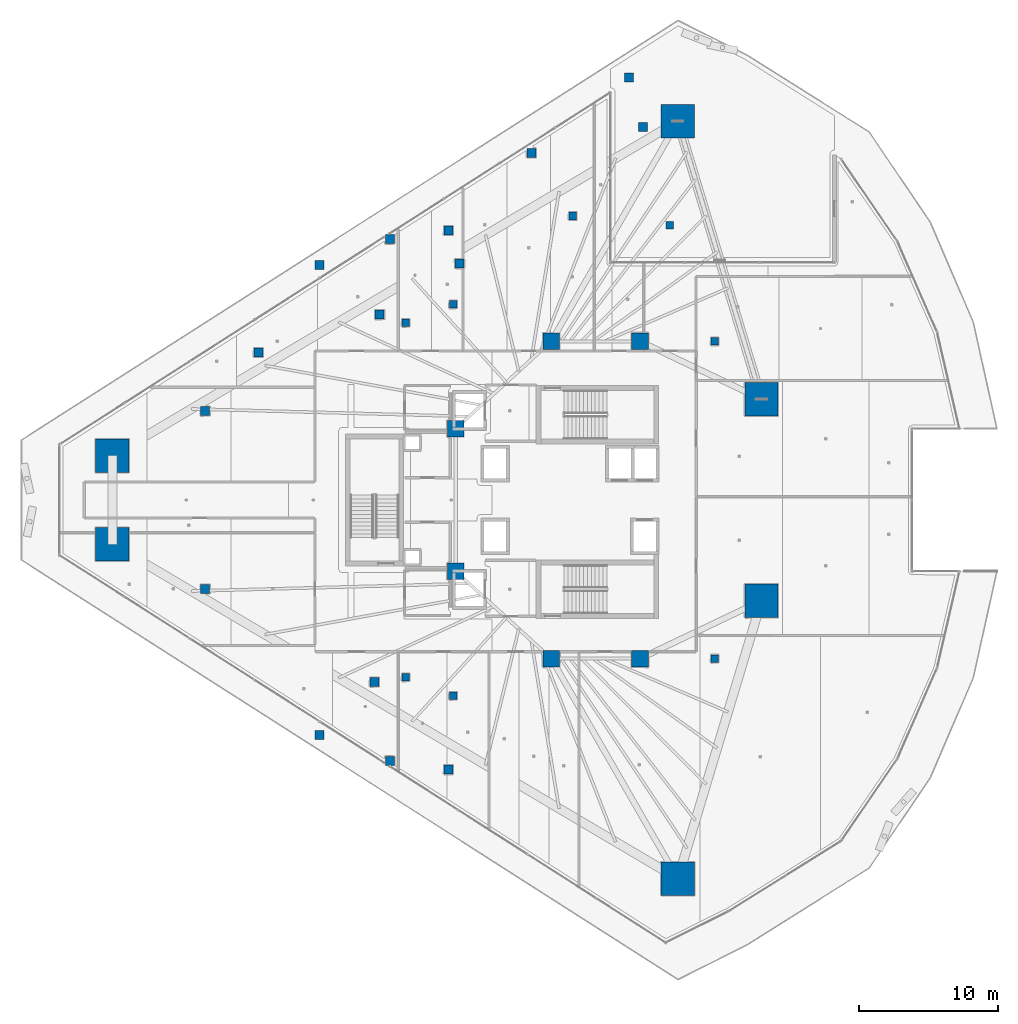
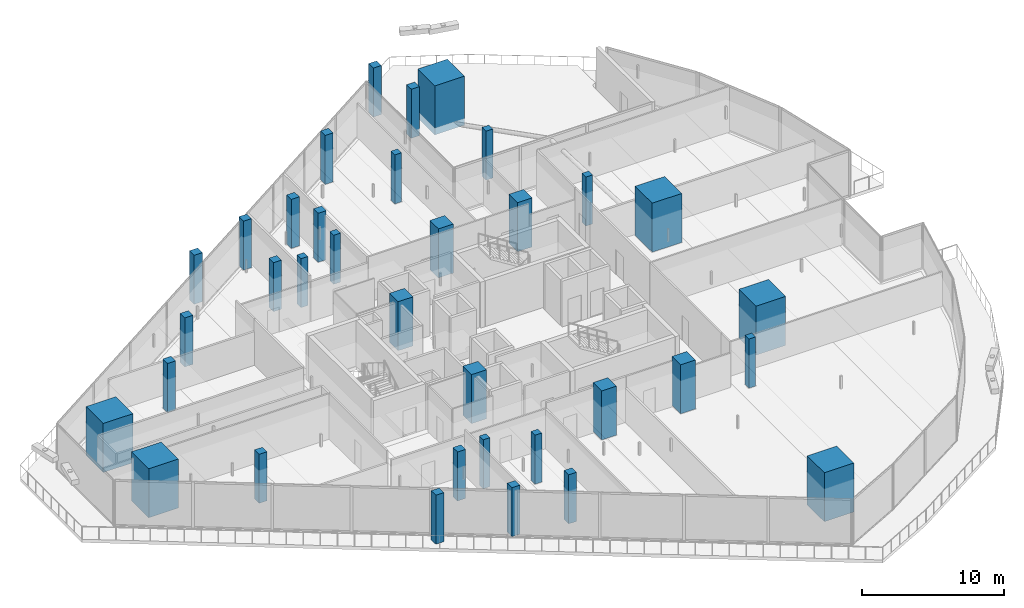
# One storey, part 1 of 47: 35 columns.
"""IFC4 building model written with IfcOpenShell, lengths in metres."""

from ifc_helpers import new_model, si_unit, direction, frame, origin, origin_2d, place, context, subcontext, project, spatial, rectangle, extrude, material, material_profile, profile_set, type_object, element, save


model = new_model("IFC4")

# Units and contexts
model_context = context("Model", 3, precision=1e-05, world=origin(), true_north=direction((0.0, 1.0)))
body_context = subcontext(model_context, "Body", "Model", "MODEL_VIEW")
ifc_project = project(units=[si_unit("LENGTHUNIT", "METRE"), si_unit("AREAUNIT", "SQUARE_METRE"), si_unit("VOLUMEUNIT", "CUBIC_METRE"), si_unit("PLANEANGLEUNIT", "RADIAN"), si_unit("MASSUNIT", "GRAM", prefix="KILO")], contexts=[model_context])

# Site, building, storey
site_placement = place(None, origin())
site = spatial("IfcSite", under=ifc_project, at=site_placement, CompositionType="ELEMENT")
building_placement = place(site_placement, origin())
building = spatial("IfcBuilding", under=site, at=building_placement, Name="Qorvath Tower", CompositionType="ELEMENT")
storey_placement = place(building_placement, frame((0.0, 0.0, 82.800048828125)))
storey = spatial("IfcBuildingStorey", under=building, at=storey_placement, Name="L18", CompositionType="ELEMENT", Elevation=82.800048828125)

# Columns
ifc_material_1 = material(Name="Concrete C70/85", Category="concrete")
ifc_material_profile_1 = material_profile(ifc_material_1, rectangle(XDim=2.39990234375, YDim=2.39990234375, at=origin_2d()), Name="MC 2400x2400")
ifc_profile_set_1 = profile_set([ifc_material_profile_1], Name="Concrete C70/85")
column_type_1 = type_object("IfcColumnType", Name="COL-MC1", PredefinedType="COLUMN", material=ifc_profile_set_1)
for number, where, z_axis, x_axis, name in (
    (1, (-55.282958984375, 3.194580078125, 0.0), (0.0, 0.0, 1.0), (1.0, 0.0, 0.0), "Composite Mega-Column MC1 L18"),
    (2, (-55.282958984375, -3.194580078125, 0.0), (0.0, 0.0, 1.0), (1.0, 0.0, 0.0), "Composite Mega-Column MC2 L18"),
    (3, (-14.46435546875, -27.330810546875, 0.0), (0.0, 0.0, 1.0), (1.0, 0.0, 0.0), "Composite Mega-Column MC3 L18"),
    (4, (-8.430419921875, -7.2763671875, 0.0), (0.0, 0.0, 1.0), (1.0, 0.0, 0.0), "Composite Mega-Column MC4 L18"),
    (5, (-8.430419921875, 7.2763671875, 0.0), (0.0, 0.0, 1.0), (1.0, 0.0, 0.0), "Composite Mega-Column MC5 L18"),
    (6, (-14.46435546875, 27.330810546875, 0.0), (0.0, 0.0, 1.0), (1.0, 0.0, 0.0), "Composite Mega-Column MC6 L18"),
):
    element("IfcColumn", number, at=place(storey_placement, frame(where, z_axis=z_axis, x_axis=x_axis)), inside=storey, type_object=column_type_1, Name=name, PredefinedType="COLUMN", context=body_context, shape_type="SweptSolid", body=[
        extrude(rectangle(XDim=2.39990234375, YDim=2.39990234375, at=origin_2d()), origin(), (0.0, 0.0, 1.0), 4.199951171875),
    ])
ifc_material_2 = material(Name="Concrete C60/75", Category="concrete")
ifc_material_profile_2 = material_profile(ifc_material_2, rectangle(XDim=1.199951171875, YDim=1.199951171875, at=origin_2d()), Name="RC 1200x1200")
ifc_profile_set_2 = profile_set([ifc_material_profile_2], Name="Concrete C60/75")
column_type_2 = type_object("IfcColumnType", Name="COL-RC1", PredefinedType="COLUMN", material=ifc_profile_set_2)
for number, where, z_axis, x_axis, name in (
    (7, (-23.60009765625, 11.449951171875, 0.0), (0.0, 0.0, 1.0), (1.0, 0.0, 0.0), "Core Spine Column CC1 L18"),
    (8, (-17.199951171875, 11.449951171875, 0.0), (0.0, 0.0, 1.0), (1.0, 0.0, 0.0), "Core Spine Column CC2 L18"),
    (9, (-17.199951171875, -11.449951171875, 0.0), (0.0, 0.0, 1.0), (1.0, 0.0, 0.0), "Core Spine Column CC3 L18"),
    (10, (-23.60009765625, -11.449951171875, 0.0), (0.0, 0.0, 1.0), (1.0, 0.0, 0.0), "Core Spine Column CC4 L18"),
    (11, (-30.5, 5.14990234375, 0.0), (0.0, 0.0, 1.0), (1.0, 0.0, 0.0), "Core Spine Column CC5 L18"),
    (12, (-30.5, -5.14990234375, 0.0), (0.0, 0.0, 1.0), (1.0, 0.0, 0.0), "Core Spine Column CC6 L18"),
):
    element("IfcColumn", number, at=place(storey_placement, frame(where, z_axis=z_axis, x_axis=x_axis)), inside=storey, type_object=column_type_2, Name=name, PredefinedType="COLUMN", context=body_context, shape_type="SweptSolid", body=[
        extrude(rectangle(XDim=1.199951171875, YDim=1.199951171875, at=origin_2d()), origin(), (0.0, 0.0, 1.0), 4.199951171875),
    ])
ifc_material_3 = material(Name="Concrete C45/55", Category="concrete")
ifc_material_profile_3 = material_profile(ifc_material_3, rectangle(XDim=0.64990234375, YDim=0.64990234375, at=origin_2d()), Name="RC 650x650")
ifc_profile_set_3 = profile_set([ifc_material_profile_3], Name="Concrete C45/55")
column_type_3 = type_object("IfcColumnType", Name="COL-RC6", PredefinedType="COLUMN", material=ifc_profile_set_3)
for number, where, z_axis, x_axis, name in (
    (13, (-40.33251953125, 16.955810546875, 0.0), (0.0, 0.0, 1.0), (1.0, 0.0, 0.0), "Loggia Frame Pier Column LGB1 L18"),
    (14, (-40.33251953125, -16.955810546875, 0.0), (0.0, 0.0, 1.0), (1.0, 0.0, 0.0), "Loggia Frame Pier Column LGB2 L18"),
    (15, (-18.0, 30.5, 0.0), (0.0, 0.0, 1.0), (1.0, 0.0, 0.0), "Loggia Frame Pier Column LGB3 L18"),
    (16, (-35.251708984375, 18.829345703125, 0.0), (0.0, 0.0, 1.0), (1.0, 0.0, 0.0), "Loggia Frame Pier Column LGC1 L18"),
    (17, (-35.251708984375, -18.829345703125, 0.0), (0.0, 0.0, 1.0), (1.0, 0.0, 0.0), "Loggia Frame Pier Column LGC2 L18"),
    (18, (-25.03759765625, 25.058837890625, 0.0), (0.0, 0.0, 1.0), (1.0, 0.0, 0.0), "Loggia Frame Pier Column LGC3 L18"),
    (19, (-31.01611328125, 19.46044921875, 0.0), (0.0, 0.0, 1.0), (1.0, 0.0, 0.0), "Loggia Frame Pier Column LGD1 L18"),
    (20, (-31.01611328125, -19.46044921875, 0.0), (0.0, 0.0, 1.0), (1.0, 0.0, 0.0), "Loggia Frame Pier Column LGD2 L18"),
    (21, (-44.736328125, 10.65234375, 0.0), (0.0, 0.0, 1.0), (1.0, 0.0, 0.0), "Loggia Frame Pier Column LGD3 L18"),
    (22, (-48.578369140625, 6.424560546875, 0.0), (0.0, 0.0, 1.0), (1.0, 0.0, 0.0), "Loggia Frame Pier Column LGE1 L18"),
    (23, (-48.578369140625, -6.424560546875, 0.0), (0.0, 0.0, 1.0), (1.0, 0.0, 0.0), "Loggia Frame Pier Column LGE2 L18"),
    (24, (-16.981201171875, 26.92919921875, 0.0), (0.0, 0.0, 1.0), (1.0, 0.0, 0.0), "Loggia Frame Pier Column LGE3 L18"),
    (25, (-35.980712890625, 13.380859375, 0.0), (0.0, 0.0, 1.0), (1.0, 0.0, 0.0), "Loggia Frame Pier Column LGF1 L18"),
    (26, (-36.36474609375, -13.135498046875, 0.0), (0.0, 0.0, 1.0), (1.0, 0.0, 0.0), "Loggia Frame Pier Column LGF2 L18"),
    (27, (-30.224853515625, 17.0595703125, 0.0), (0.0, 0.0, 1.0), (1.0, 0.0, 0.0), "Loggia Frame Pier Column LGF3 L18"),
):
    element("IfcColumn", number, at=place(storey_placement, frame(where, z_axis=z_axis, x_axis=x_axis)), inside=storey, type_object=column_type_3, Name=name, PredefinedType="COLUMN", context=body_context, shape_type="SweptSolid", body=[
        extrude(rectangle(XDim=0.64990234375, YDim=0.64990234375, at=origin_2d()), origin(), (0.0, 0.0, 1.0), 4.199951171875),
    ])
ifc_material_4 = material(Name="Concrete C45/55", Category="concrete")
ifc_material_profile_4 = material_profile(ifc_material_4, rectangle(XDim=0.550048828125, YDim=0.550048828125, at=origin_2d()), Name="RC 550x550")
ifc_profile_set_4 = profile_set([ifc_material_profile_4], Name="Concrete C45/55")
column_type_4 = type_object("IfcColumnType", Name="COL-RC7", PredefinedType="COLUMN", material=ifc_profile_set_4)
for number, where, z_axis, x_axis, name in (
    (28, (-34.104248046875, 12.79248046875, 0.0), (0.0, 0.0, 1.0), (1.0, 0.0, 0.0), "Loggia Frame Pier Column LGG1 L18"),
    (29, (-34.104248046875, -12.79248046875, 0.0), (0.0, 0.0, 1.0), (1.0, 0.0, 0.0), "Loggia Frame Pier Column LGG2 L18"),
    (30, (-22.05322265625, 20.494873046875, 0.0), (0.0, 0.0, 1.0), (1.0, 0.0, 0.0), "Loggia Frame Pier Column LGG3 L18"),
    (31, (-30.67724609375, 14.124267578125, 0.0), (0.0, 0.0, 1.0), (1.0, 0.0, 0.0), "Loggia Frame Pier Column LGH1 L18"),
    (32, (-30.67724609375, -14.124267578125, 0.0), (0.0, 0.0, 1.0), (1.0, 0.0, 0.0), "Loggia Frame Pier Column LGH2 L18"),
    (33, (-15.046142578125, 19.818115234375, 0.0), (0.0, 0.0, 1.0), (1.0, 0.0, 0.0), "Loggia Frame Pier Column LGH3 L18"),
    (34, (-11.800048828125, -11.449951171875, 0.0), (0.0, 0.0, 1.0), (1.0, 0.0, 0.0), "Central Slot Jamb Column SC1 L18"),
    (35, (-11.800048828125, 11.449951171875, 0.0), (0.0, 0.0, 1.0), (1.0, 0.0, 0.0), "Central Slot Jamb Column SC2 L18"),
):
    element("IfcColumn", number, at=place(storey_placement, frame(where, z_axis=z_axis, x_axis=x_axis)), inside=storey, type_object=column_type_4, Name=name, PredefinedType="COLUMN", context=body_context, shape_type="SweptSolid", body=[
        extrude(rectangle(XDim=0.550048828125, YDim=0.550048828125, at=origin_2d()), origin(), (0.0, 0.0, 1.0), 4.199951171875),
    ])

save(model, "model.ifc")
